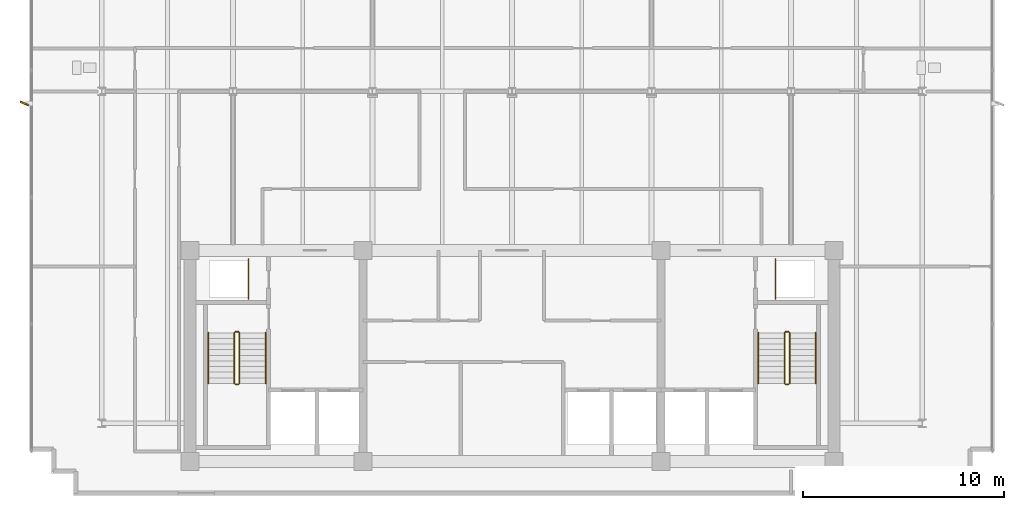
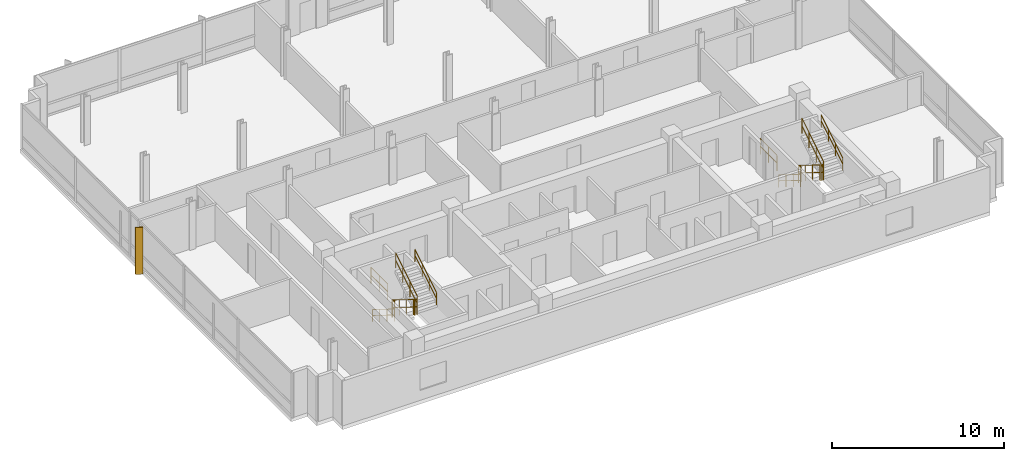
# One storey, part 11 of 13: 14 railings, 1 shading device.
"""IFC4 building model written with IfcOpenShell, lengths in metres."""

from ifc_helpers import new_model, si_unit, direction, frame, origin, origin_2d, place, context, subcontext, project, spatial, rectangle, circle, extrude, material, layer, layer_set, type_object, element, save


model = new_model("IFC4")

# Units and contexts
model_context = context("Model", 3, precision=1e-05, world=origin(), true_north=direction((0.0, 1.0)))
body_context = subcontext(model_context, "Body", "Model", "MODEL_VIEW")
ifc_project = project(units=[si_unit("LENGTHUNIT", "METRE"), si_unit("AREAUNIT", "SQUARE_METRE"), si_unit("VOLUMEUNIT", "CUBIC_METRE"), si_unit("PLANEANGLEUNIT", "RADIAN"), si_unit("MASSUNIT", "GRAM", prefix="KILO")], contexts=[model_context])

# Site, building, storey
site_placement = place(None, origin())
site = spatial("IfcSite", under=ifc_project, at=site_placement, CompositionType="ELEMENT")
building_placement = place(site_placement, origin())
building = spatial("IfcBuilding", under=site, at=building_placement, Name="Solmavex Isthmus Hotel", CompositionType="ELEMENT")
storey_placement = place(building_placement, frame((0.0, 0.0, 279.89990234375)))
storey = spatial("IfcBuildingStorey", under=building, at=storey_placement, Name="L76", CompositionType="ELEMENT", Elevation=279.89990234375)

# Railings
ifc_material_1 = material(Name="Clear low-E laminated glass", Category="glass")
ifc_layer_1 = layer(ifc_material_1, 0.080078125)
ifc_layer_set_1 = layer_set([ifc_layer_1], Name="Clear low-E laminated glass")
railing_type_1 = type_object("IfcRailingType", Name="RAIL-ATRIUM-1120", PredefinedType="BALUSTRADE", material=ifc_layer_set_1)
for number, where, name in (
    (1, (-13.10009765625, -4.89990234375, 0.0), "Guardrail Balustrade L76-RSW-01"),
    (2, (13.10009765625, -4.89990234375, 0.0), "Guardrail Balustrade L76-RSE-01"),
):
    element("IfcRailing", number, at=place(storey_placement, frame(where)), inside=storey, type_object=railing_type_1, Name=name, PredefinedType="BALUSTRADE", context=body_context, shape_type="SweptSolid", body=[
        extrude(circle(Radius=0.02392578125, at=origin_2d()), frame((0.0, 0.0, 1.1259765625), z_axis=(0.0, 1.0, 0.0), x_axis=(-1.0, 0.0, 0.0)), (0.0, 0.0, 1.0), 1.949951171875),
        extrude(circle(Radius=0.02392578125, at=origin_2d()), frame((0.0, 0.0, 0.574951171875), z_axis=(0.0, 1.0, 0.0), x_axis=(-1.0, 0.0, 0.0)), (0.0, 0.0, 1.0), 1.949951171875),
        extrude(circle(Radius=0.02099609375, at=origin_2d()), origin(), (0.0, 0.0, 1.0), 1.101806640625),
        extrude(circle(Radius=0.02099609375, at=origin_2d()), frame((0.0, 0.97509765625, 0.0)), (0.0, 0.0, 1.0), 1.101806640625),
        extrude(circle(Radius=0.02099609375, at=origin_2d()), frame((0.0, 1.949951171875, 0.0)), (0.0, 0.0, 1.0), 1.101806640625),
    ])
ifc_material_2 = material(Name="Stainless steel 316", Category="steel")
ifc_layer_2 = layer(ifc_material_2, 0.06005859375)
ifc_layer_set_2 = layer_set([ifc_layer_2], Name="Stainless steel 316")
railing_type_2 = type_object("IfcRailingType", Name="RAIL-STAIR-GD", PredefinedType="GUARDRAIL", material=ifc_layer_set_2)
railing_1_placement = place(storey_placement, frame((-13.800048828125, -6.60009765625, 0.172607421875)))
element("IfcRailing", 3, at=railing_1_placement, inside=storey, type_object=railing_type_2, Name="L76 ST-1 stair guard 1", PredefinedType="GUARDRAIL", context=body_context, shape_type="SweptSolid", body=[
    extrude(circle(Radius=0.02392578125, at=origin_2d()), frame((0.0, 0.0, 1.09619140625), z_axis=(0.0, -0.851400495292, 0.524516154772), x_axis=(1.0, 0.0, 0.0)), (0.0, 0.0, 1.0), 2.9599609375),
    extrude(circle(Radius=0.02392578125, at=origin_2d()), frame((0.0, 0.0, 0.56005859375), z_axis=(0.0, -0.851400495292, 0.524516154772), x_axis=(1.0, 0.0, 0.0)), (0.0, 0.0, 1.0), 2.9599609375),
    extrude(circle(Radius=0.02099609375, at=origin_2d()), origin(), (0.0, 0.0, 1.0), 1.072021484375),
    extrude(circle(Radius=0.02099609375, at=origin_2d()), frame((0.0, -0.840087890625, 0.517578125)), (0.0, 0.0, 1.0), 1.072021484375),
    extrude(circle(Radius=0.02099609375, at=origin_2d()), frame((0.0, -1.679931640625, 1.034912109375)), (0.0, 0.0, 1.0), 1.072021484375),
    extrude(circle(Radius=0.02099609375, at=origin_2d()), frame((0.0, -2.52001953125, 1.552490234375)), (0.0, 0.0, 1.0), 1.072021484375),
])
railing_2_placement = place(storey_placement, frame((-13.75, -9.169921875, 1.72509765625)))
element("IfcRailing", 4, at=railing_2_placement, inside=storey, type_object=railing_type_2, Name="L76 ST-1 stair guard 2", PredefinedType="GUARDRAIL", context=body_context, shape_type="SweptSolid", body=[
    extrude(circle(Radius=0.02392578125, at=origin_2d()), frame((0.0, 0.0, 1.09619140625), z_axis=(1.0, 0.0, 0.0), x_axis=(0.0, 1.0, 0.0)), (0.0, 0.0, 1.0), 0.14990234375),
    extrude(circle(Radius=0.02392578125, at=origin_2d()), frame((0.0, 0.0, 0.56005859375), z_axis=(1.0, 0.0, 0.0), x_axis=(0.0, 1.0, 0.0)), (0.0, 0.0, 1.0), 0.14990234375),
    extrude(circle(Radius=0.02099609375, at=origin_2d()), origin(), (0.0, 0.0, 1.0), 1.072021484375),
    extrude(circle(Radius=0.02099609375, at=origin_2d()), frame((0.14990234375, 0.0, 0.0)), (0.0, 0.0, 1.0), 1.072021484375),
])
railing_3_placement = place(storey_placement, frame((-13.550048828125, -9.1201171875, 1.897705078125)))
element("IfcRailing", 5, at=railing_3_placement, inside=storey, type_object=railing_type_2, Name="L76 ST-1 stair guard 3", PredefinedType="GUARDRAIL", context=body_context, shape_type="SweptSolid", body=[
    extrude(circle(Radius=0.02392578125, at=origin_2d()), frame((0.0, 0.0, 1.09619140625), z_axis=(0.0, 0.851400495292, 0.524516154772), x_axis=(-1.0, 0.0, 0.0)), (0.0, 0.0, 1.0), 2.9599609375),
    extrude(circle(Radius=0.02392578125, at=origin_2d()), frame((0.0, 0.0, 0.56005859375), z_axis=(0.0, 0.851400495292, 0.524516154772), x_axis=(-1.0, 0.0, 0.0)), (0.0, 0.0, 1.0), 2.9599609375),
    extrude(circle(Radius=0.02099609375, at=origin_2d()), origin(), (0.0, 0.0, 1.0), 1.072021484375),
    extrude(circle(Radius=0.02099609375, at=origin_2d()), frame((0.0, 0.840087890625, 0.517578125)), (0.0, 0.0, 1.0), 1.072021484375),
    extrude(circle(Radius=0.02099609375, at=origin_2d()), frame((0.0, 1.679931640625, 1.034912109375)), (0.0, 0.0, 1.0), 1.072021484375),
    extrude(circle(Radius=0.02099609375, at=origin_2d()), frame((0.0, 2.52001953125, 1.552490234375)), (0.0, 0.0, 1.0), 1.072021484375),
])
railing_4_placement = place(storey_placement, frame((-13.75, -6.550048828125, 0.0)))
element("IfcRailing", 6, at=railing_4_placement, inside=storey, type_object=railing_type_2, Name="L76 ST-1 stair guard 4", PredefinedType="GUARDRAIL", context=body_context, shape_type="SweptSolid", body=[
    extrude(circle(Radius=0.02392578125, at=origin_2d()), frame((0.0, 0.0, 1.09619140625), z_axis=(1.0, 0.0, 0.0), x_axis=(0.0, 1.0, 0.0)), (0.0, 0.0, 1.0), 0.14990234375),
    extrude(circle(Radius=0.02392578125, at=origin_2d()), frame((0.0, 0.0, 0.56005859375), z_axis=(1.0, 0.0, 0.0), x_axis=(0.0, 1.0, 0.0)), (0.0, 0.0, 1.0), 0.14990234375),
    extrude(circle(Radius=0.02099609375, at=origin_2d()), origin(), (0.0, 0.0, 1.0), 1.072021484375),
    extrude(circle(Radius=0.02099609375, at=origin_2d()), frame((0.14990234375, 0.0, 0.0)), (0.0, 0.0, 1.0), 1.072021484375),
])
railing_5_placement = place(storey_placement, frame((13.550048828125, -6.60009765625, 0.172607421875)))
element("IfcRailing", 7, at=railing_5_placement, inside=storey, type_object=railing_type_2, Name="L76 ST-2 stair guard 1", PredefinedType="GUARDRAIL", context=body_context, shape_type="SweptSolid", body=[
    extrude(circle(Radius=0.02392578125, at=origin_2d()), frame((0.0, 0.0, 1.09619140625), z_axis=(0.0, -0.851400495292, 0.524516154772), x_axis=(1.0, 0.0, 0.0)), (0.0, 0.0, 1.0), 2.9599609375),
    extrude(circle(Radius=0.02392578125, at=origin_2d()), frame((0.0, 0.0, 0.56005859375), z_axis=(0.0, -0.851400495292, 0.524516154772), x_axis=(1.0, 0.0, 0.0)), (0.0, 0.0, 1.0), 2.9599609375),
    extrude(circle(Radius=0.02099609375, at=origin_2d()), origin(), (0.0, 0.0, 1.0), 1.072021484375),
    extrude(circle(Radius=0.02099609375, at=origin_2d()), frame((0.0, -0.840087890625, 0.517578125)), (0.0, 0.0, 1.0), 1.072021484375),
    extrude(circle(Radius=0.02099609375, at=origin_2d()), frame((0.0, -1.679931640625, 1.034912109375)), (0.0, 0.0, 1.0), 1.072021484375),
    extrude(circle(Radius=0.02099609375, at=origin_2d()), frame((0.0, -2.52001953125, 1.552490234375)), (0.0, 0.0, 1.0), 1.072021484375),
])
railing_6_placement = place(storey_placement, frame((13.60009765625, -9.169921875, 1.72509765625)))
element("IfcRailing", 8, at=railing_6_placement, inside=storey, type_object=railing_type_2, Name="L76 ST-2 stair guard 2", PredefinedType="GUARDRAIL", context=body_context, shape_type="SweptSolid", body=[
    extrude(circle(Radius=0.02392578125, at=origin_2d()), frame((0.0, 0.0, 1.09619140625), z_axis=(1.0, 0.0, 0.0), x_axis=(0.0, 1.0, 0.0)), (0.0, 0.0, 1.0), 0.14990234375),
    extrude(circle(Radius=0.02392578125, at=origin_2d()), frame((0.0, 0.0, 0.56005859375), z_axis=(1.0, 0.0, 0.0), x_axis=(0.0, 1.0, 0.0)), (0.0, 0.0, 1.0), 0.14990234375),
    extrude(circle(Radius=0.02099609375, at=origin_2d()), origin(), (0.0, 0.0, 1.0), 1.072021484375),
    extrude(circle(Radius=0.02099609375, at=origin_2d()), frame((0.14990234375, 0.0, 0.0)), (0.0, 0.0, 1.0), 1.072021484375),
])
railing_7_placement = place(storey_placement, frame((13.800048828125, -9.1201171875, 1.897705078125)))
element("IfcRailing", 9, at=railing_7_placement, inside=storey, type_object=railing_type_2, Name="L76 ST-2 stair guard 3", PredefinedType="GUARDRAIL", context=body_context, shape_type="SweptSolid", body=[
    extrude(circle(Radius=0.02392578125, at=origin_2d()), frame((0.0, 0.0, 1.09619140625), z_axis=(0.0, 0.851400495292, 0.524516154772), x_axis=(-1.0, 0.0, 0.0)), (0.0, 0.0, 1.0), 2.9599609375),
    extrude(circle(Radius=0.02392578125, at=origin_2d()), frame((0.0, 0.0, 0.56005859375), z_axis=(0.0, 0.851400495292, 0.524516154772), x_axis=(-1.0, 0.0, 0.0)), (0.0, 0.0, 1.0), 2.9599609375),
    extrude(circle(Radius=0.02099609375, at=origin_2d()), origin(), (0.0, 0.0, 1.0), 1.072021484375),
    extrude(circle(Radius=0.02099609375, at=origin_2d()), frame((0.0, 0.840087890625, 0.517578125)), (0.0, 0.0, 1.0), 1.072021484375),
    extrude(circle(Radius=0.02099609375, at=origin_2d()), frame((0.0, 1.679931640625, 1.034912109375)), (0.0, 0.0, 1.0), 1.072021484375),
    extrude(circle(Radius=0.02099609375, at=origin_2d()), frame((0.0, 2.52001953125, 1.552490234375)), (0.0, 0.0, 1.0), 1.072021484375),
])
railing_8_placement = place(storey_placement, frame((13.60009765625, -6.550048828125, 0.0)))
element("IfcRailing", 10, at=railing_8_placement, inside=storey, type_object=railing_type_2, Name="L76 ST-2 stair guard 4", PredefinedType="GUARDRAIL", context=body_context, shape_type="SweptSolid", body=[
    extrude(circle(Radius=0.02392578125, at=origin_2d()), frame((0.0, 0.0, 1.09619140625), z_axis=(1.0, 0.0, 0.0), x_axis=(0.0, 1.0, 0.0)), (0.0, 0.0, 1.0), 0.14990234375),
    extrude(circle(Radius=0.02392578125, at=origin_2d()), frame((0.0, 0.0, 0.56005859375), z_axis=(1.0, 0.0, 0.0), x_axis=(0.0, 1.0, 0.0)), (0.0, 0.0, 1.0), 0.14990234375),
    extrude(circle(Radius=0.02099609375, at=origin_2d()), origin(), (0.0, 0.0, 1.0), 1.072021484375),
    extrude(circle(Radius=0.02099609375, at=origin_2d()), frame((0.14990234375, 0.0, 0.0)), (0.0, 0.0, 1.0), 1.072021484375),
])
ifc_layer_3 = layer(ifc_material_2, 0.050048828125)
ifc_layer_set_3 = layer_set([ifc_layer_3], Name="Stainless steel 316")
railing_type_3 = type_object("IfcRailingType", Name="RAIL-STAIR-HR", PredefinedType="HANDRAIL", material=ifc_layer_set_3)
railing_9_placement = place(storey_placement, frame((-15.10009765625, -6.60009765625, 0.172607421875)))
element("IfcRailing", 11, at=railing_9_placement, inside=storey, type_object=railing_type_3, Name="L76 ST-1 stair handrail 1", PredefinedType="HANDRAIL", context=body_context, shape_type="SweptSolid", body=[
    extrude(circle(Radius=0.02392578125, at=origin_2d()), frame((0.0, 0.0, 0.8759765625), z_axis=(0.0, -0.851400495292, 0.524516154772), x_axis=(1.0, 0.0, 0.0)), (0.0, 0.0, 1.0), 2.9599609375),
    extrude(circle(Radius=0.02392578125, at=origin_2d()), frame((0.0, 0.0, 0.449951171875), z_axis=(0.0, -0.851400495292, 0.524516154772), x_axis=(1.0, 0.0, 0.0)), (0.0, 0.0, 1.0), 2.9599609375),
    extrude(circle(Radius=0.02099609375, at=origin_2d()), origin(), (0.0, 0.0, 1.0), 0.851806640625),
    extrude(circle(Radius=0.02099609375, at=origin_2d()), frame((0.0, -0.840087890625, 0.517578125)), (0.0, 0.0, 1.0), 0.851806640625),
    extrude(circle(Radius=0.02099609375, at=origin_2d()), frame((0.0, -1.679931640625, 1.034912109375)), (0.0, 0.0, 1.0), 0.851806640625),
    extrude(circle(Radius=0.02099609375, at=origin_2d()), frame((0.0, -2.52001953125, 1.552490234375)), (0.0, 0.0, 1.0), 0.851806640625),
])
railing_10_placement = place(storey_placement, frame((-12.25, -9.1201171875, 1.897705078125)))
element("IfcRailing", 12, at=railing_10_placement, inside=storey, type_object=railing_type_3, Name="L76 ST-1 stair handrail 2", PredefinedType="HANDRAIL", context=body_context, shape_type="SweptSolid", body=[
    extrude(circle(Radius=0.02392578125, at=origin_2d()), frame((0.0, 0.0, 0.8759765625), z_axis=(0.0, 0.851400495292, 0.524516154772), x_axis=(-1.0, 0.0, 0.0)), (0.0, 0.0, 1.0), 2.9599609375),
    extrude(circle(Radius=0.02392578125, at=origin_2d()), frame((0.0, 0.0, 0.449951171875), z_axis=(0.0, 0.851400495292, 0.524516154772), x_axis=(-1.0, 0.0, 0.0)), (0.0, 0.0, 1.0), 2.9599609375),
    extrude(circle(Radius=0.02099609375, at=origin_2d()), origin(), (0.0, 0.0, 1.0), 0.851806640625),
    extrude(circle(Radius=0.02099609375, at=origin_2d()), frame((0.0, 0.840087890625, 0.517578125)), (0.0, 0.0, 1.0), 0.851806640625),
    extrude(circle(Radius=0.02099609375, at=origin_2d()), frame((0.0, 1.679931640625, 1.034912109375)), (0.0, 0.0, 1.0), 0.851806640625),
    extrude(circle(Radius=0.02099609375, at=origin_2d()), frame((0.0, 2.52001953125, 1.552490234375)), (0.0, 0.0, 1.0), 0.851806640625),
])
railing_11_placement = place(storey_placement, frame((12.25, -6.60009765625, 0.172607421875)))
element("IfcRailing", 13, at=railing_11_placement, inside=storey, type_object=railing_type_3, Name="L76 ST-2 stair handrail 1", PredefinedType="HANDRAIL", context=body_context, shape_type="SweptSolid", body=[
    extrude(circle(Radius=0.02392578125, at=origin_2d()), frame((0.0, 0.0, 0.8759765625), z_axis=(0.0, -0.851400495292, 0.524516154772), x_axis=(1.0, 0.0, 0.0)), (0.0, 0.0, 1.0), 2.9599609375),
    extrude(circle(Radius=0.02392578125, at=origin_2d()), frame((0.0, 0.0, 0.449951171875), z_axis=(0.0, -0.851400495292, 0.524516154772), x_axis=(1.0, 0.0, 0.0)), (0.0, 0.0, 1.0), 2.9599609375),
    extrude(circle(Radius=0.02099609375, at=origin_2d()), origin(), (0.0, 0.0, 1.0), 0.851806640625),
    extrude(circle(Radius=0.02099609375, at=origin_2d()), frame((0.0, -0.840087890625, 0.517578125)), (0.0, 0.0, 1.0), 0.851806640625),
    extrude(circle(Radius=0.02099609375, at=origin_2d()), frame((0.0, -1.679931640625, 1.034912109375)), (0.0, 0.0, 1.0), 0.851806640625),
    extrude(circle(Radius=0.02099609375, at=origin_2d()), frame((0.0, -2.52001953125, 1.552490234375)), (0.0, 0.0, 1.0), 0.851806640625),
])
railing_12_placement = place(storey_placement, frame((15.10009765625, -9.1201171875, 1.897705078125)))
element("IfcRailing", 14, at=railing_12_placement, inside=storey, type_object=railing_type_3, Name="L76 ST-2 stair handrail 2", PredefinedType="HANDRAIL", context=body_context, shape_type="SweptSolid", body=[
    extrude(circle(Radius=0.02392578125, at=origin_2d()), frame((0.0, 0.0, 0.8759765625), z_axis=(0.0, 0.851400495292, 0.524516154772), x_axis=(-1.0, 0.0, 0.0)), (0.0, 0.0, 1.0), 2.9599609375),
    extrude(circle(Radius=0.02392578125, at=origin_2d()), frame((0.0, 0.0, 0.449951171875), z_axis=(0.0, 0.851400495292, 0.524516154772), x_axis=(-1.0, 0.0, 0.0)), (0.0, 0.0, 1.0), 2.9599609375),
    extrude(circle(Radius=0.02099609375, at=origin_2d()), origin(), (0.0, 0.0, 1.0), 0.851806640625),
    extrude(circle(Radius=0.02099609375, at=origin_2d()), frame((0.0, 0.840087890625, 0.517578125)), (0.0, 0.0, 1.0), 0.851806640625),
    extrude(circle(Radius=0.02099609375, at=origin_2d()), frame((0.0, 1.679931640625, 1.034912109375)), (0.0, 0.0, 1.0), 0.851806640625),
    extrude(circle(Radius=0.02099609375, at=origin_2d()), frame((0.0, 2.52001953125, 1.552490234375)), (0.0, 0.0, 1.0), 0.851806640625),
])

# Shading device
ifc_material_3 = material(Name="Aluminium alloy 6063-T6", Category="aluminium")
shading_device_type = type_object("IfcShadingDeviceType", Name="SHD-FIN-BRONZE", PredefinedType="USERDEFINED", material=ifc_material_3)
shading_device_placement = place(storey_placement, frame((-24.239990234375, 4.800048828125, -0.139892578125), z_axis=(0.0, 0.0, 1.0), x_axis=(-0.913545457643, 0.406736643076, 0.0)))
element("IfcShadingDevice", 15, at=shading_device_placement, inside=storey, type_object=shading_device_type, Name="Anodised Aluminium Solar Fin L76-W1", ObjectType="SOLAR_FIN", PredefinedType="USERDEFINED", context=body_context, shape_type="SweptSolid", body=[
    extrude(rectangle(XDim=0.449951171875, YDim=0.080078125, at=origin_2d()), origin(), (0.0, 0.0, 1.0), 3.330078125),
])

save(model, "model.ifc")
